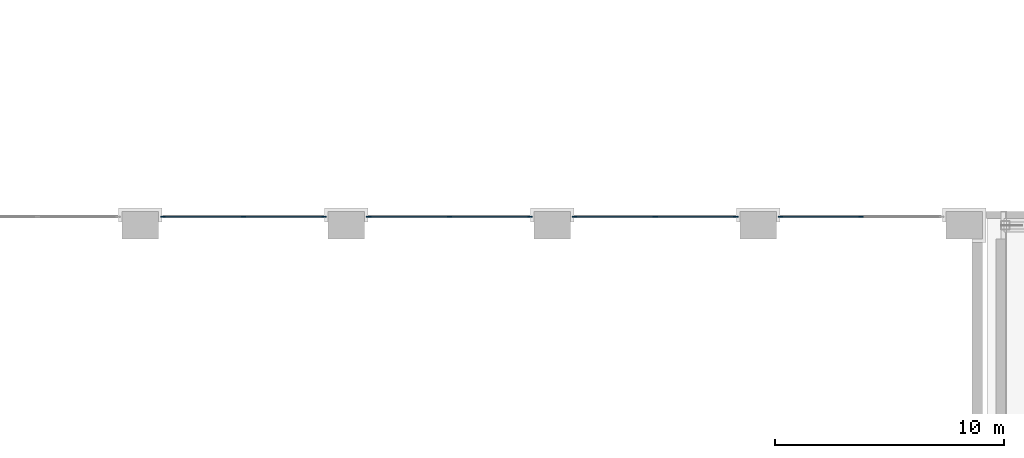
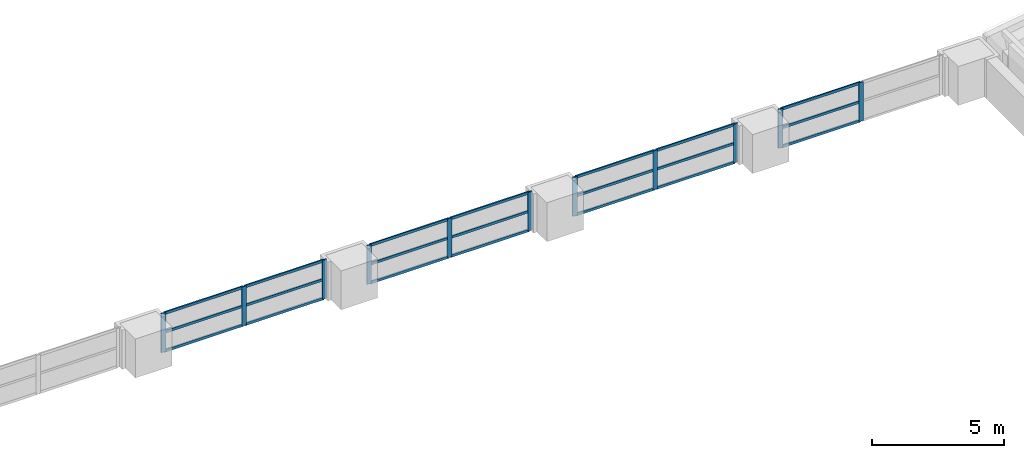
# One storey, part 10 of 32: 32 members, 4 elements without a shape of their own.
"""IFC4 building model written with IfcOpenShell, lengths in metres."""

from ifc_helpers import new_model, si_unit, direction, frame, origin, origin_2d, place, context, subcontext, project, spatial, rectangle, extrude, material, material_profile, profile_set, type_object, element, aggregate, save


model = new_model("IFC4")

# Units and contexts
model_context = context("Model", 3, precision=1e-05, world=origin(), true_north=direction((0.0, 1.0)))
body_context = subcontext(model_context, "Body", "Model", "MODEL_VIEW")
ifc_project = project(units=[si_unit("LENGTHUNIT", "METRE"), si_unit("AREAUNIT", "SQUARE_METRE"), si_unit("VOLUMEUNIT", "CUBIC_METRE"), si_unit("PLANEANGLEUNIT", "RADIAN"), si_unit("MASSUNIT", "GRAM", prefix="KILO")], contexts=[model_context])

# Site, building, storey
site_placement = place(None, origin())
site = spatial("IfcSite", under=ifc_project, at=site_placement, CompositionType="ELEMENT")
building_placement = place(site_placement, origin())
building = spatial("IfcBuilding", under=site, at=building_placement, Name="Aravalli Gate Trade Fair Centre", CompositionType="ELEMENT")
storey_placement = place(building_placement, frame((0.0, 0.0, 23.39990234375)))
storey = spatial("IfcBuildingStorey", under=building, at=storey_placement, Name="ROOF LEVEL 1", CompositionType="ELEMENT", Elevation=23.39990234375)

# Curtain wall, members
ifc_material_1 = material(Name="Aluminium, glass and louvre", Category="aluminium")
curtain_wall_type = type_object("IfcCurtainWallType", Name="Hall crown curtain wall 3000 module", PredefinedType="NOTDEFINED", material=ifc_material_1)
curtain_wall_1_placement = place(storey_placement, origin())
curtain_wall_1 = element("IfcCurtainWall", 1, at=curtain_wall_1_placement, inside=storey, type_object=curtain_wall_type, Name="Hall north crown curtain wall bay 8 ROOF LEVEL 1", PredefinedType="NOTDEFINED")
ifc_material_2 = material(Name="Aluminium", Category="aluminium")
ifc_material_profile_1 = material_profile(ifc_material_2, rectangle(XDim=0.06005859375, YDim=0.199951171875, at=origin_2d()), Name="Hall curtain wall mullion 60 x 200")
ifc_profile_set_1 = profile_set([ifc_material_profile_1], Name="Aluminium")
member_type_1 = type_object("IfcMemberType", Name="Hall curtain wall mullion 60 x 200", PredefinedType="MULLION", material=ifc_profile_set_1)
member_1_placement = place(storey_placement, frame((69.97998046875, 109.375, 0.0), z_axis=(0.0, 0.0, 1.0), x_axis=(0.0, 1.0, 0.0)))
member_1 = element("IfcMember", 2, at=member_1_placement, type_object=member_type_1, Name="HCW1 mullion 1", PredefinedType="MULLION", context=body_context, shape_type="SweptSolid", body=[
    extrude(rectangle(XDim=0.06005859375, YDim=0.199951171875, at=origin_2d()), origin(), (0.0, 0.0, 1.0), 1.800048828125),
])
member_2_placement = place(storey_placement, frame((73.5, 109.375, 0.0), z_axis=(0.0, 0.0, 1.0), x_axis=(0.0, 1.0, 0.0)))
member_2 = element("IfcMember", 3, at=member_2_placement, type_object=member_type_1, Name="HCW1 mullion 2", PredefinedType="MULLION", context=body_context, shape_type="SweptSolid", body=[
    extrude(rectangle(XDim=0.06005859375, YDim=0.199951171875, at=origin_2d()), origin(), (0.0, 0.0, 1.0), 1.800048828125),
])
member_3_placement = place(storey_placement, frame((77.02001953125, 109.375, 0.0), z_axis=(0.0, 0.0, 1.0), x_axis=(0.0, 1.0, 0.0)))
member_3 = element("IfcMember", 4, at=member_3_placement, type_object=member_type_1, Name="HCW1 mullion 3", PredefinedType="MULLION", context=body_context, shape_type="SweptSolid", body=[
    extrude(rectangle(XDim=0.06005859375, YDim=0.199951171875, at=origin_2d()), origin(), (0.0, 0.0, 1.0), 1.800048828125),
])

curtain_wall_2_placement = place(storey_placement, origin())
curtain_wall_2 = element("IfcCurtainWall", 5, at=curtain_wall_2_placement, inside=storey, type_object=curtain_wall_type, Name="Hall north crown curtain wall bay 9 ROOF LEVEL 1", PredefinedType="NOTDEFINED")
member_4_placement = place(storey_placement, frame((78.97998046875, 109.375, 0.0), z_axis=(0.0, 0.0, 1.0), x_axis=(0.0, 1.0, 0.0)))
member_4 = element("IfcMember", 6, at=member_4_placement, type_object=member_type_1, Name="HCW1 mullion 1", PredefinedType="MULLION", context=body_context, shape_type="SweptSolid", body=[
    extrude(rectangle(XDim=0.06005859375, YDim=0.199951171875, at=origin_2d()), origin(), (0.0, 0.0, 1.0), 1.800048828125),
])
member_5_placement = place(storey_placement, frame((82.5, 109.375, 0.0), z_axis=(0.0, 0.0, 1.0), x_axis=(0.0, 1.0, 0.0)))
member_5 = element("IfcMember", 7, at=member_5_placement, type_object=member_type_1, Name="HCW1 mullion 2", PredefinedType="MULLION", context=body_context, shape_type="SweptSolid", body=[
    extrude(rectangle(XDim=0.06005859375, YDim=0.199951171875, at=origin_2d()), origin(), (0.0, 0.0, 1.0), 1.800048828125),
])
member_6_placement = place(storey_placement, frame((86.02001953125, 109.375, 0.0), z_axis=(0.0, 0.0, 1.0), x_axis=(0.0, 1.0, 0.0)))
member_6 = element("IfcMember", 8, at=member_6_placement, type_object=member_type_1, Name="HCW1 mullion 3", PredefinedType="MULLION", context=body_context, shape_type="SweptSolid", body=[
    extrude(rectangle(XDim=0.06005859375, YDim=0.199951171875, at=origin_2d()), origin(), (0.0, 0.0, 1.0), 1.800048828125),
])

curtain_wall_3_placement = place(storey_placement, origin())
curtain_wall_3 = element("IfcCurtainWall", 9, at=curtain_wall_3_placement, inside=storey, type_object=curtain_wall_type, Name="Hall north crown curtain wall bay 10 ROOF LEVEL 1", PredefinedType="NOTDEFINED")
member_7_placement = place(storey_placement, frame((87.97998046875, 109.375, 0.0), z_axis=(0.0, 0.0, 1.0), x_axis=(0.0, 1.0, 0.0)))
member_7 = element("IfcMember", 10, at=member_7_placement, type_object=member_type_1, Name="HCW1 mullion 1", PredefinedType="MULLION", context=body_context, shape_type="SweptSolid", body=[
    extrude(rectangle(XDim=0.06005859375, YDim=0.199951171875, at=origin_2d()), origin(), (0.0, 0.0, 1.0), 1.800048828125),
])
member_8_placement = place(storey_placement, frame((91.5, 109.375, 0.0), z_axis=(0.0, 0.0, 1.0), x_axis=(0.0, 1.0, 0.0)))
member_8 = element("IfcMember", 11, at=member_8_placement, type_object=member_type_1, Name="HCW1 mullion 2", PredefinedType="MULLION", context=body_context, shape_type="SweptSolid", body=[
    extrude(rectangle(XDim=0.06005859375, YDim=0.199951171875, at=origin_2d()), origin(), (0.0, 0.0, 1.0), 1.800048828125),
])
member_9_placement = place(storey_placement, frame((95.02001953125, 109.375, 0.0), z_axis=(0.0, 0.0, 1.0), x_axis=(0.0, 1.0, 0.0)))
member_9 = element("IfcMember", 12, at=member_9_placement, type_object=member_type_1, Name="HCW1 mullion 3", PredefinedType="MULLION", context=body_context, shape_type="SweptSolid", body=[
    extrude(rectangle(XDim=0.06005859375, YDim=0.199951171875, at=origin_2d()), origin(), (0.0, 0.0, 1.0), 1.800048828125),
])

curtain_wall_4_placement = place(storey_placement, origin())
curtain_wall_4 = element("IfcCurtainWall", 13, at=curtain_wall_4_placement, inside=storey, type_object=curtain_wall_type, Name="Hall north crown curtain wall bay 11 ROOF LEVEL 1", PredefinedType="NOTDEFINED")
member_10_placement = place(storey_placement, frame((96.97998046875, 109.375, 0.0), z_axis=(0.0, 0.0, 1.0), x_axis=(0.0, 1.0, 0.0)))
member_10 = element("IfcMember", 14, at=member_10_placement, type_object=member_type_1, Name="HCW1 mullion 1", PredefinedType="MULLION", context=body_context, shape_type="SweptSolid", body=[
    extrude(rectangle(XDim=0.06005859375, YDim=0.199951171875, at=origin_2d()), origin(), (0.0, 0.0, 1.0), 1.800048828125),
])
member_11_placement = place(storey_placement, frame((100.5, 109.375, 0.0), z_axis=(0.0, 0.0, 1.0), x_axis=(0.0, 1.0, 0.0)))
member_11 = element("IfcMember", 15, at=member_11_placement, type_object=member_type_1, Name="HCW1 mullion 2", PredefinedType="MULLION", context=body_context, shape_type="SweptSolid", body=[
    extrude(rectangle(XDim=0.06005859375, YDim=0.199951171875, at=origin_2d()), origin(), (0.0, 0.0, 1.0), 1.800048828125),
])

# Member
ifc_material_profile_2 = material_profile(ifc_material_2, rectangle(XDim=0.06005859375, YDim=0.1201171875, at=origin_2d()), Name="Hall curtain wall transom 60 x 120")
ifc_profile_set_2 = profile_set([ifc_material_profile_2], Name="Aluminium")
member_type_2 = type_object("IfcMemberType", Name="Hall curtain wall transom 60 x 120", PredefinedType="USERDEFINED", material=ifc_profile_set_2)
member_12_placement = place(storey_placement, frame((70.010009765625, 109.375, 0.030029296875), z_axis=(1.0, 0.0, 0.0), x_axis=(0.0, 1.0, 0.0)))
member_12 = element("IfcMember", 16, at=member_12_placement, type_object=member_type_2, Name="HCW1 transom 1.1", ObjectType="TRANSOM", PredefinedType="USERDEFINED", context=body_context, shape_type="SweptSolid", body=[
    extrude(rectangle(XDim=0.06005859375, YDim=0.1201171875, at=origin_2d()), origin(), (0.0, 0.0, 1.0), 3.4599609375),
])

member_13_placement = place(storey_placement, frame((70.010009765625, 109.375, 0.900146484375), z_axis=(1.0, 0.0, 0.0), x_axis=(0.0, 1.0, 0.0)))
member_13 = element("IfcMember", 17, at=member_13_placement, type_object=member_type_2, Name="HCW1 transom 1.2", ObjectType="TRANSOM", PredefinedType="USERDEFINED", context=body_context, shape_type="SweptSolid", body=[
    extrude(rectangle(XDim=0.06005859375, YDim=0.1201171875, at=origin_2d()), origin(), (0.0, 0.0, 1.0), 3.4599609375),
])

member_14_placement = place(storey_placement, frame((70.010009765625, 109.375, 1.77001953125), z_axis=(1.0, 0.0, 0.0), x_axis=(0.0, 1.0, 0.0)))
member_14 = element("IfcMember", 18, at=member_14_placement, type_object=member_type_2, Name="HCW1 transom 1.3", ObjectType="TRANSOM", PredefinedType="USERDEFINED", context=body_context, shape_type="SweptSolid", body=[
    extrude(rectangle(XDim=0.06005859375, YDim=0.1201171875, at=origin_2d()), origin(), (0.0, 0.0, 1.0), 3.4599609375),
])

member_15_placement = place(storey_placement, frame((73.530029296875, 109.375, 0.030029296875), z_axis=(1.0, 0.0, 0.0), x_axis=(0.0, 1.0, 0.0)))
member_15 = element("IfcMember", 19, at=member_15_placement, type_object=member_type_2, Name="HCW1 transom 2.1", ObjectType="TRANSOM", PredefinedType="USERDEFINED", context=body_context, shape_type="SweptSolid", body=[
    extrude(rectangle(XDim=0.06005859375, YDim=0.1201171875, at=origin_2d()), origin(), (0.0, 0.0, 1.0), 3.4599609375),
])

member_16_placement = place(storey_placement, frame((73.530029296875, 109.375, 0.900146484375), z_axis=(1.0, 0.0, 0.0), x_axis=(0.0, 1.0, 0.0)))
member_16 = element("IfcMember", 20, at=member_16_placement, type_object=member_type_2, Name="HCW1 transom 2.2", ObjectType="TRANSOM", PredefinedType="USERDEFINED", context=body_context, shape_type="SweptSolid", body=[
    extrude(rectangle(XDim=0.06005859375, YDim=0.1201171875, at=origin_2d()), origin(), (0.0, 0.0, 1.0), 3.4599609375),
])

member_17_placement = place(storey_placement, frame((73.530029296875, 109.375, 1.77001953125), z_axis=(1.0, 0.0, 0.0), x_axis=(0.0, 1.0, 0.0)))
member_17 = element("IfcMember", 21, at=member_17_placement, type_object=member_type_2, Name="HCW1 transom 2.3", ObjectType="TRANSOM", PredefinedType="USERDEFINED", context=body_context, shape_type="SweptSolid", body=[
    extrude(rectangle(XDim=0.06005859375, YDim=0.1201171875, at=origin_2d()), origin(), (0.0, 0.0, 1.0), 3.4599609375),
])

aggregate(curtain_wall_1, [member_1, member_2, member_3, member_12, member_13, member_14, member_15, member_16, member_17])

member_18_placement = place(storey_placement, frame((79.010009765625, 109.375, 0.030029296875), z_axis=(1.0, 0.0, 0.0), x_axis=(0.0, 1.0, 0.0)))
member_18 = element("IfcMember", 22, at=member_18_placement, type_object=member_type_2, Name="HCW1 transom 1.1", ObjectType="TRANSOM", PredefinedType="USERDEFINED", context=body_context, shape_type="SweptSolid", body=[
    extrude(rectangle(XDim=0.06005859375, YDim=0.1201171875, at=origin_2d()), origin(), (0.0, 0.0, 1.0), 3.4599609375),
])

member_19_placement = place(storey_placement, frame((79.010009765625, 109.375, 0.900146484375), z_axis=(1.0, 0.0, 0.0), x_axis=(0.0, 1.0, 0.0)))
member_19 = element("IfcMember", 23, at=member_19_placement, type_object=member_type_2, Name="HCW1 transom 1.2", ObjectType="TRANSOM", PredefinedType="USERDEFINED", context=body_context, shape_type="SweptSolid", body=[
    extrude(rectangle(XDim=0.06005859375, YDim=0.1201171875, at=origin_2d()), origin(), (0.0, 0.0, 1.0), 3.4599609375),
])

member_20_placement = place(storey_placement, frame((79.010009765625, 109.375, 1.77001953125), z_axis=(1.0, 0.0, 0.0), x_axis=(0.0, 1.0, 0.0)))
member_20 = element("IfcMember", 24, at=member_20_placement, type_object=member_type_2, Name="HCW1 transom 1.3", ObjectType="TRANSOM", PredefinedType="USERDEFINED", context=body_context, shape_type="SweptSolid", body=[
    extrude(rectangle(XDim=0.06005859375, YDim=0.1201171875, at=origin_2d()), origin(), (0.0, 0.0, 1.0), 3.4599609375),
])

member_21_placement = place(storey_placement, frame((82.530029296875, 109.375, 0.030029296875), z_axis=(1.0, 0.0, 0.0), x_axis=(0.0, 1.0, 0.0)))
member_21 = element("IfcMember", 25, at=member_21_placement, type_object=member_type_2, Name="HCW1 transom 2.1", ObjectType="TRANSOM", PredefinedType="USERDEFINED", context=body_context, shape_type="SweptSolid", body=[
    extrude(rectangle(XDim=0.06005859375, YDim=0.1201171875, at=origin_2d()), origin(), (0.0, 0.0, 1.0), 3.4599609375),
])

member_22_placement = place(storey_placement, frame((82.530029296875, 109.375, 0.900146484375), z_axis=(1.0, 0.0, 0.0), x_axis=(0.0, 1.0, 0.0)))
member_22 = element("IfcMember", 26, at=member_22_placement, type_object=member_type_2, Name="HCW1 transom 2.2", ObjectType="TRANSOM", PredefinedType="USERDEFINED", context=body_context, shape_type="SweptSolid", body=[
    extrude(rectangle(XDim=0.06005859375, YDim=0.1201171875, at=origin_2d()), origin(), (0.0, 0.0, 1.0), 3.4599609375),
])

member_23_placement = place(storey_placement, frame((82.530029296875, 109.375, 1.77001953125), z_axis=(1.0, 0.0, 0.0), x_axis=(0.0, 1.0, 0.0)))
member_23 = element("IfcMember", 27, at=member_23_placement, type_object=member_type_2, Name="HCW1 transom 2.3", ObjectType="TRANSOM", PredefinedType="USERDEFINED", context=body_context, shape_type="SweptSolid", body=[
    extrude(rectangle(XDim=0.06005859375, YDim=0.1201171875, at=origin_2d()), origin(), (0.0, 0.0, 1.0), 3.4599609375),
])

aggregate(curtain_wall_2, [member_4, member_5, member_6, member_18, member_19, member_20, member_21, member_22, member_23])

member_24_placement = place(storey_placement, frame((88.010009765625, 109.375, 0.030029296875), z_axis=(1.0, 0.0, 0.0), x_axis=(0.0, 1.0, 0.0)))
member_24 = element("IfcMember", 28, at=member_24_placement, type_object=member_type_2, Name="HCW1 transom 1.1", ObjectType="TRANSOM", PredefinedType="USERDEFINED", context=body_context, shape_type="SweptSolid", body=[
    extrude(rectangle(XDim=0.06005859375, YDim=0.1201171875, at=origin_2d()), origin(), (0.0, 0.0, 1.0), 3.4599609375),
])

member_25_placement = place(storey_placement, frame((88.010009765625, 109.375, 0.900146484375), z_axis=(1.0, 0.0, 0.0), x_axis=(0.0, 1.0, 0.0)))
member_25 = element("IfcMember", 29, at=member_25_placement, type_object=member_type_2, Name="HCW1 transom 1.2", ObjectType="TRANSOM", PredefinedType="USERDEFINED", context=body_context, shape_type="SweptSolid", body=[
    extrude(rectangle(XDim=0.06005859375, YDim=0.1201171875, at=origin_2d()), origin(), (0.0, 0.0, 1.0), 3.4599609375),
])

member_26_placement = place(storey_placement, frame((88.010009765625, 109.375, 1.77001953125), z_axis=(1.0, 0.0, 0.0), x_axis=(0.0, 1.0, 0.0)))
member_26 = element("IfcMember", 30, at=member_26_placement, type_object=member_type_2, Name="HCW1 transom 1.3", ObjectType="TRANSOM", PredefinedType="USERDEFINED", context=body_context, shape_type="SweptSolid", body=[
    extrude(rectangle(XDim=0.06005859375, YDim=0.1201171875, at=origin_2d()), origin(), (0.0, 0.0, 1.0), 3.4599609375),
])

member_27_placement = place(storey_placement, frame((91.530029296875, 109.375, 0.030029296875), z_axis=(1.0, 0.0, 0.0), x_axis=(0.0, 1.0, 0.0)))
member_27 = element("IfcMember", 31, at=member_27_placement, type_object=member_type_2, Name="HCW1 transom 2.1", ObjectType="TRANSOM", PredefinedType="USERDEFINED", context=body_context, shape_type="SweptSolid", body=[
    extrude(rectangle(XDim=0.06005859375, YDim=0.1201171875, at=origin_2d()), origin(), (0.0, 0.0, 1.0), 3.4599609375),
])

member_28_placement = place(storey_placement, frame((91.530029296875, 109.375, 0.900146484375), z_axis=(1.0, 0.0, 0.0), x_axis=(0.0, 1.0, 0.0)))
member_28 = element("IfcMember", 32, at=member_28_placement, type_object=member_type_2, Name="HCW1 transom 2.2", ObjectType="TRANSOM", PredefinedType="USERDEFINED", context=body_context, shape_type="SweptSolid", body=[
    extrude(rectangle(XDim=0.06005859375, YDim=0.1201171875, at=origin_2d()), origin(), (0.0, 0.0, 1.0), 3.4599609375),
])

member_29_placement = place(storey_placement, frame((91.530029296875, 109.375, 1.77001953125), z_axis=(1.0, 0.0, 0.0), x_axis=(0.0, 1.0, 0.0)))
member_29 = element("IfcMember", 33, at=member_29_placement, type_object=member_type_2, Name="HCW1 transom 2.3", ObjectType="TRANSOM", PredefinedType="USERDEFINED", context=body_context, shape_type="SweptSolid", body=[
    extrude(rectangle(XDim=0.06005859375, YDim=0.1201171875, at=origin_2d()), origin(), (0.0, 0.0, 1.0), 3.4599609375),
])

aggregate(curtain_wall_3, [member_7, member_8, member_9, member_24, member_25, member_26, member_27, member_28, member_29])

member_30_placement = place(storey_placement, frame((97.010009765625, 109.375, 0.030029296875), z_axis=(1.0, 0.0, 0.0), x_axis=(0.0, 1.0, 0.0)))
member_30 = element("IfcMember", 34, at=member_30_placement, type_object=member_type_2, Name="HCW1 transom 1.1", ObjectType="TRANSOM", PredefinedType="USERDEFINED", context=body_context, shape_type="SweptSolid", body=[
    extrude(rectangle(XDim=0.06005859375, YDim=0.1201171875, at=origin_2d()), origin(), (0.0, 0.0, 1.0), 3.4599609375),
])

member_31_placement = place(storey_placement, frame((97.010009765625, 109.375, 0.900146484375), z_axis=(1.0, 0.0, 0.0), x_axis=(0.0, 1.0, 0.0)))
member_31 = element("IfcMember", 35, at=member_31_placement, type_object=member_type_2, Name="HCW1 transom 1.2", ObjectType="TRANSOM", PredefinedType="USERDEFINED", context=body_context, shape_type="SweptSolid", body=[
    extrude(rectangle(XDim=0.06005859375, YDim=0.1201171875, at=origin_2d()), origin(), (0.0, 0.0, 1.0), 3.4599609375),
])

member_32_placement = place(storey_placement, frame((97.010009765625, 109.375, 1.77001953125), z_axis=(1.0, 0.0, 0.0), x_axis=(0.0, 1.0, 0.0)))
member_32 = element("IfcMember", 36, at=member_32_placement, type_object=member_type_2, Name="HCW1 transom 1.3", ObjectType="TRANSOM", PredefinedType="USERDEFINED", context=body_context, shape_type="SweptSolid", body=[
    extrude(rectangle(XDim=0.06005859375, YDim=0.1201171875, at=origin_2d()), origin(), (0.0, 0.0, 1.0), 3.4599609375),
])

aggregate(curtain_wall_4, [member_10, member_11, member_30, member_31, member_32])

save(model, "model.ifc")
